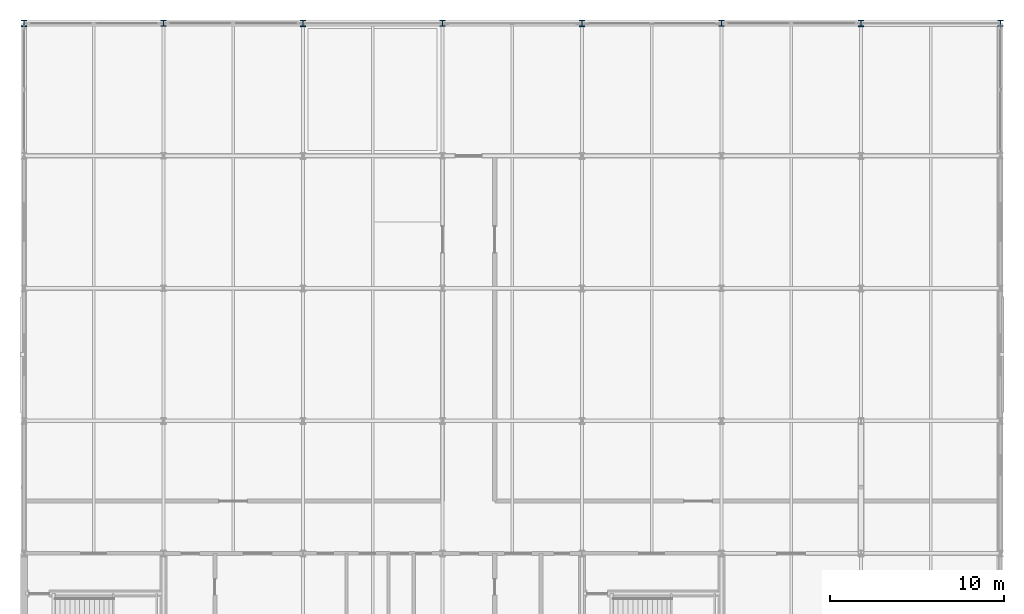
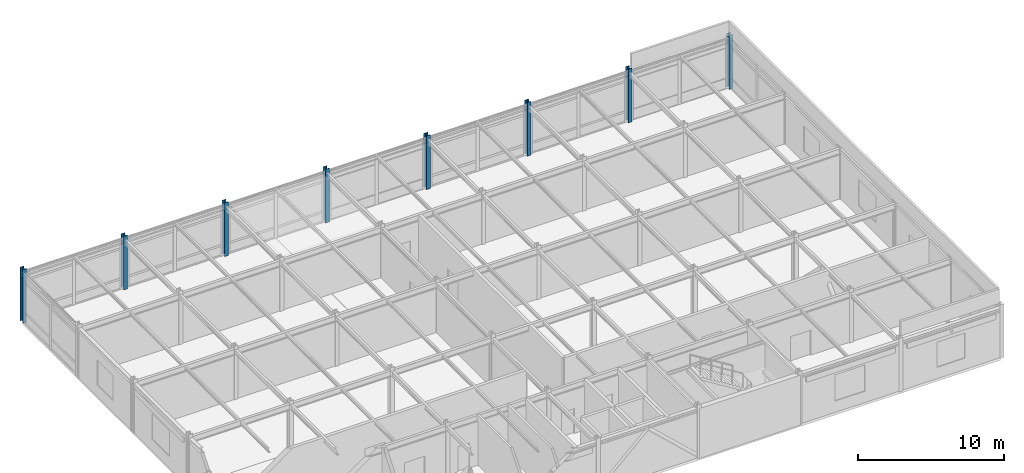
# One storey, part 3 of 16: 8 columns.
"""IFC4 building model written with IfcOpenShell, lengths in metres."""

from ifc_helpers import new_model, si_unit, direction, frame, origin, origin_2d, place, context, subcontext, project, spatial, i_section, extrude, material, material_profile, profile_set, type_object, element, save


model = new_model("IFC4")

# Units and contexts
model_context = context("Model", 3, precision=1e-05, world=origin(), true_north=direction((0.0, 1.0)))
body_context = subcontext(model_context, "Body", "Model", "MODEL_VIEW")
ifc_project = project(units=[si_unit("LENGTHUNIT", "METRE"), si_unit("AREAUNIT", "SQUARE_METRE"), si_unit("VOLUMEUNIT", "CUBIC_METRE"), si_unit("PLANEANGLEUNIT", "RADIAN"), si_unit("MASSUNIT", "GRAM", prefix="KILO")], contexts=[model_context])

# Site, building, storey
site_placement = place(None, origin())
site = spatial("IfcSite", under=ifc_project, at=site_placement, CompositionType="ELEMENT")
building_placement = place(site_placement, origin())
building = spatial("IfcBuilding", under=site, at=building_placement, Name="Shalkamar Park Central Library", CompositionType="ELEMENT")
storey_placement = place(building_placement, frame((0.0, 0.0, 51.60009765625)))
storey = spatial("IfcBuildingStorey", under=building, at=storey_placement, Name="L13", CompositionType="ELEMENT", Elevation=51.60009765625)

# Columns
ifc_material = material(Name="Steel S355", Category="steel")
ifc_material_profile_1 = material_profile(ifc_material, i_section(OverallWidth=0.30908203125, OverallDepth=0.35888671875, WebThickness=0.02099609375, FlangeThickness=0.0400390625, FilletRadius=0.027099609375, at=origin_2d()), Name="HEM 320")
ifc_profile_set_1 = profile_set([ifc_material_profile_1], Name="Steel S355")
column_type_1 = type_object("IfcColumnType", Name="Column Steel HEM320", PredefinedType="COLUMN", material=ifc_profile_set_1)
for number, where, z_axis, x_axis, name in (
    (1, (173.0, 285.60009765625, 0.0), (0.0, 0.0, 1.0), (1.0, 0.0, 0.0), "Column 08/G (L13)"),
    (2, (189.0, 285.60009765625, 0.0), (0.0, 0.0, 1.0), (1.0, 0.0, 0.0), "Column 10/G (L13)"),
    (3, (205.0, 285.60009765625, 0.0), (0.0, 0.0, 1.0), (1.0, 0.0, 0.0), "Column 12/G (L13)"),
    (4, (221.0, 285.60009765625, 0.0), (0.0, 0.0, 1.0), (1.0, 0.0, 0.0), "Column 14/G (L13)"),
):
    element("IfcColumn", number, at=place(storey_placement, frame(where, z_axis=z_axis, x_axis=x_axis)), inside=storey, type_object=column_type_1, Name=name, PredefinedType="COLUMN", context=body_context, shape_type="SweptSolid", body=[
        extrude(i_section(OverallWidth=0.30908203125, OverallDepth=0.35888671875, WebThickness=0.02099609375, FlangeThickness=0.0400390625, FilletRadius=0.027099609375, at=origin_2d()), origin(), (0.0, 0.0, 1.0), 4.5),
    ])
ifc_material_profile_2 = material_profile(ifc_material, i_section(OverallWidth=0.30908203125, OverallDepth=0.376953125, WebThickness=0.02099609375, FlangeThickness=0.0400390625, FilletRadius=0.027099609375, at=origin_2d()), Name="HEM 340")
ifc_profile_set_2 = profile_set([ifc_material_profile_2], Name="Steel S355")
column_type_2 = type_object("IfcColumnType", Name="Column Steel HEM340", PredefinedType="COLUMN", material=ifc_profile_set_2)
for number, where, z_axis, x_axis, name in (
    (5, (165.0, 285.60009765625, 0.0), (0.0, 0.0, 1.0), (1.0, 0.0, 0.0), "Column 07/G (L13)"),
    (6, (181.0, 285.60009765625, 0.0), (0.0, 0.0, 1.0), (1.0, 0.0, 0.0), "Column 09/G (L13)"),
    (7, (197.0, 285.60009765625, 0.0), (0.0, 0.0, 1.0), (1.0, 0.0, 0.0), "Column 11/G (L13)"),
    (8, (213.0, 285.60009765625, 0.0), (0.0, 0.0, 1.0), (1.0, 0.0, 0.0), "Column 13/G (L13)"),
):
    element("IfcColumn", number, at=place(storey_placement, frame(where, z_axis=z_axis, x_axis=x_axis)), inside=storey, type_object=column_type_2, Name=name, PredefinedType="COLUMN", context=body_context, shape_type="SweptSolid", body=[
        extrude(i_section(OverallWidth=0.30908203125, OverallDepth=0.376953125, WebThickness=0.02099609375, FlangeThickness=0.0400390625, FilletRadius=0.027099609375, at=origin_2d()), origin(), (0.0, 0.0, 1.0), 4.5),
    ])

save(model, "model.ifc")
